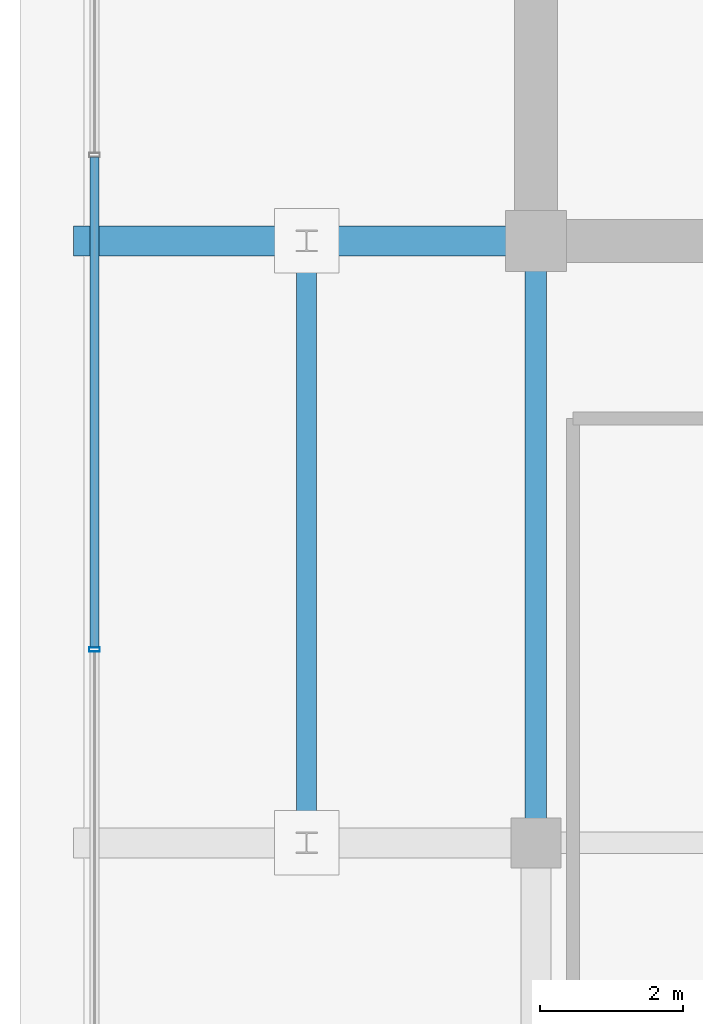
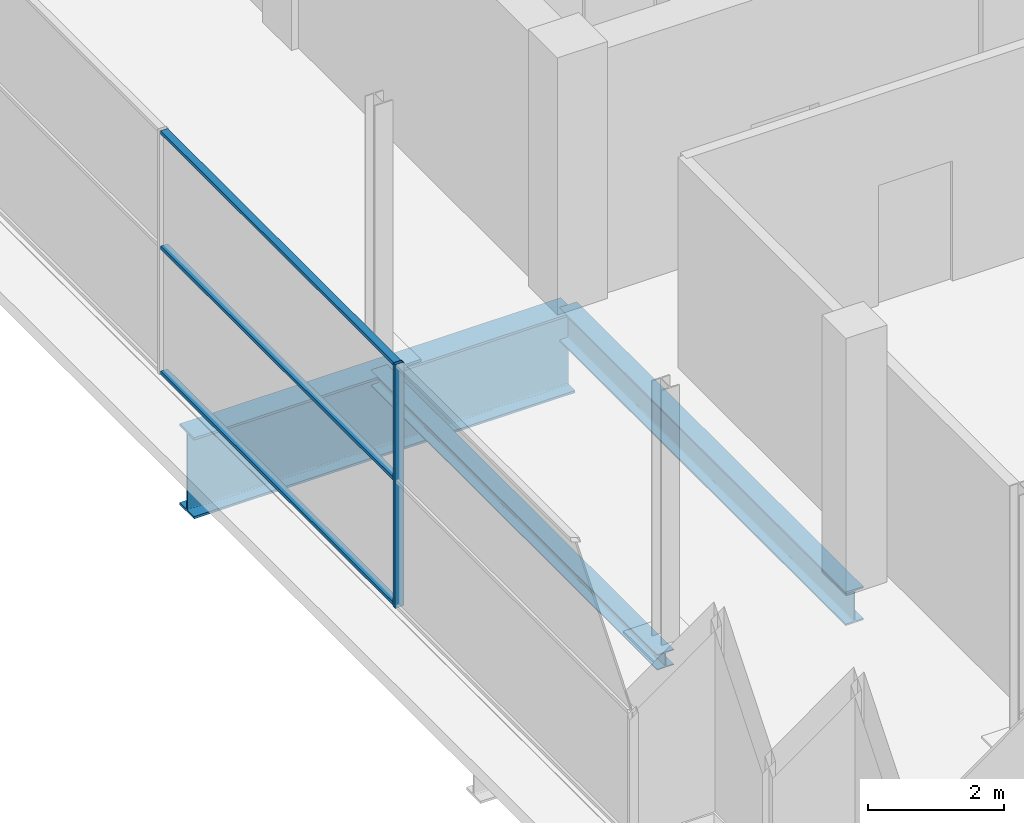
# One storey, part 5 of 28: 4 members, 3 beams, 1 element without a shape of its own.
"""IFC4 building model written with IfcOpenShell, lengths in metres."""

from ifc_helpers import new_model, si_unit, direction, frame, origin, origin_2d, place, context, subcontext, project, spatial, hollow_rectangle, i_section, extrude, source, transform, mapped, material, layer, layer_set, material_profile, profile_set, type_object, element, aggregate, save


model = new_model("IFC4")

# Units and contexts
model_context = context("Model", 3, precision=1e-05, world=origin(), true_north=direction((0.0, 1.0)))
body_context = subcontext(model_context, "Body", "Model", "MODEL_VIEW")
ifc_project = project(units=[si_unit("LENGTHUNIT", "METRE"), si_unit("AREAUNIT", "SQUARE_METRE"), si_unit("VOLUMEUNIT", "CUBIC_METRE"), si_unit("PLANEANGLEUNIT", "RADIAN"), si_unit("MASSUNIT", "GRAM", prefix="KILO")], contexts=[model_context])

# Site, building, storey
site_placement = place(None, origin())
site = spatial("IfcSite", under=ifc_project, at=site_placement, CompositionType="ELEMENT")
building_placement = place(site_placement, origin())
building = spatial("IfcBuilding", under=site, at=building_placement, Name="Zarnakvel Exchange Tower", CompositionType="ELEMENT")
storey_placement = place(building_placement, frame((0.0, 0.0, 271.60009765625)))
storey = spatial("IfcBuildingStorey", under=building, at=storey_placement, Name="Crown L77", CompositionType="ELEMENT", Elevation=271.60009765625)

# Beams
ifc_material_1 = material(Name="Steel S355", Category="steel")
ifc_material_profile_1 = material_profile(ifc_material_1, i_section(OverallWidth=0.300048828125, OverallDepth=0.60009765625, WebThickness=0.015380859375, FlangeThickness=0.030029296875, FilletRadius=0.027099609375, at=origin_2d()))
ifc_profile_set_1 = profile_set([ifc_material_profile_1], Name="Steel S355")
beam_type_1 = type_object("IfcBeamType", Name="G-04", PredefinedType="BEAM", material=ifc_profile_set_1)
beam_1_placement = place(storey_placement, frame((-14.39990234375, -9.60009765625, -0.52001953125), z_axis=(0.0, 1.0, 0.0), x_axis=(-1.0, 0.0, 0.0)))
element("IfcBeam", 1, at=beam_1_placement, inside=storey, type_object=beam_type_1, Name="Crown L77 Tower N-S Frame Beam", PredefinedType="BEAM", context=body_context, shape_type="SweptSolid", body=[
    extrude(i_section(OverallWidth=0.300048828125, OverallDepth=0.60009765625, WebThickness=0.015380859375, FlangeThickness=0.030029296875, FilletRadius=0.027099609375, at=origin_2d()), origin(), (0.0, 0.0, 1.0), 8.400146484375),
])
ifc_material_profile_2 = material_profile(ifc_material_1, i_section(OverallWidth=0.280029296875, OverallDepth=0.280029296875, WebThickness=0.010498046875, FlangeThickness=0.01806640625, FilletRadius=0.02392578125, at=origin_2d()))
ifc_profile_set_2 = profile_set([ifc_material_profile_2], Name="Steel S355")
beam_type_2 = type_object("IfcBeamType", Name="SP-04", PredefinedType="SPANDREL", material=ifc_profile_set_2)
beam_2_placement = place(storey_placement, frame((-17.60009765625, -9.60009765625, -0.360107421875), z_axis=(0.0, 1.0, 0.0), x_axis=(-1.0, 0.0, 0.0)))
element("IfcBeam", 2, at=beam_2_placement, inside=storey, type_object=beam_type_2, Name="Crown L77 Tower N-S Frame Beam", PredefinedType="SPANDREL", context=body_context, shape_type="SweptSolid", body=[
    extrude(i_section(OverallWidth=0.280029296875, OverallDepth=0.280029296875, WebThickness=0.010498046875, FlangeThickness=0.01806640625, FilletRadius=0.02392578125, at=origin_2d()), origin(), (0.0, 0.0, 1.0), 8.400146484375),
])
ifc_material_2 = material(Name="Steel S460", Category="steel")
ifc_material_profile_3 = material_profile(ifc_material_2, i_section(OverallWidth=0.419921875, OverallDepth=1.449951171875, WebThickness=0.02392578125, FlangeThickness=0.0400390625, FilletRadius=0.030029296875, at=origin_2d()))
ifc_profile_set_3 = profile_set([ifc_material_profile_3], Name="Steel S460")
beam_type_3 = type_object("IfcBeamType", Name="TG-01", PredefinedType="BEAM", material=ifc_profile_set_3)
beam_3_placement = place(storey_placement, frame((-20.85009765625, -1.199951171875, -0.945068359375), z_axis=(1.0, 0.0, 0.0), x_axis=(0.0, 1.0, 0.0)))
element("IfcBeam", 3, at=beam_3_placement, inside=storey, type_object=beam_type_3, Name="Crown L77 Setback E-W Transfer Girder CW-D", PredefinedType="BEAM", context=body_context, shape_type="SweptSolid", body=[
    extrude(i_section(OverallWidth=0.419921875, OverallDepth=1.449951171875, WebThickness=0.02392578125, FlangeThickness=0.0400390625, FilletRadius=0.030029296875, at=origin_2d()), origin(), (0.0, 0.0, 1.0), 6.4501953125),
])

# Curtain wall, members
ifc_material_3 = material(Name="Architectural Bronze Anodised Aluminium", Category="aluminium")
ifc_layer = layer(ifc_material_3, 0.14990234375)
ifc_layer_set = layer_set([ifc_layer], Name="Architectural Bronze Anodised Aluminium")
curtain_wall_type = type_object("IfcCurtainWallType", Name="CW-07", PredefinedType="NOTDEFINED", material=ifc_layer_set)
curtain_wall_placement = place(storey_placement, origin())
curtain_wall = element("IfcCurtainWall", 4, at=curtain_wall_placement, inside=storey, type_object=curtain_wall_type, Name="Crown L77 Curtain Wall CW-Crown L77-W (CW-07)", PredefinedType="NOTDEFINED")
ifc_material_profile_4 = material_profile(ifc_material_3, hollow_rectangle(XDim=0.14990234375, YDim=0.06005859375, WallThickness=0.00390625, at=origin_2d()))
ifc_profile_set_4 = profile_set([ifc_material_profile_4], Name="Architectural Bronze Anodised Aluminium")
member_type_1 = type_object("IfcMemberType", Name="CWM-07", PredefinedType="MULLION", material=ifc_profile_set_4)
shared_shape_1 = source(origin(), body_context, "Body", "SweptSolid", [
    extrude(hollow_rectangle(XDim=0.14990234375, YDim=0.06005859375, WallThickness=0.00390625, at=origin_2d()), origin(), (0.0, 0.0, 1.0), 4.35986328125),
])
member_1_placement = place(storey_placement, frame((-20.56005859375, -6.89990234375, 0.0), z_axis=(0.0, 0.0, 1.0), x_axis=(-1.0, 0.0, 0.0)))
member_1 = element("IfcMember", 5, at=member_1_placement, type_object=member_type_1, Name="CW-07 mullion 2", PredefinedType="MULLION", context=body_context, shape_type="MappedRepresentation", body=[
    mapped(shared_shape_1, transform((0.0, 0.0, 0.0), x_axis=(1.0, 0.0, 0.0), y_axis=(0.0, 1.0, 0.0), z_axis=(0.0, 0.0, 1.0), scale=1.0)),
])
ifc_material_profile_5 = material_profile(ifc_material_3, hollow_rectangle(XDim=0.1201171875, YDim=0.06005859375, WallThickness=0.00390625, at=origin_2d()))
ifc_profile_set_5 = profile_set([ifc_material_profile_5], Name="Architectural Bronze Anodised Aluminium")
member_type_2 = type_object("IfcMemberType", Name="CWT-07", PredefinedType="USERDEFINED", material=ifc_profile_set_5)
shared_shape_2 = source(origin(), body_context, "Body", "SweptSolid", [
    extrude(hollow_rectangle(XDim=0.1201171875, YDim=0.06005859375, WallThickness=0.00390625, at=origin_2d()), origin(), (0.0, 0.0, 1.0), 6.840087890625),
])
member_2_placement = place(storey_placement, frame((-20.56005859375, -6.8701171875, 0.02978515625), z_axis=(0.0, 1.0, 0.0), x_axis=(-1.0, 0.0, 0.0)))
member_2 = element("IfcMember", 6, at=member_2_placement, type_object=member_type_2, Name="CW-07 transom 2.1", ObjectType="TRANSOM", PredefinedType="USERDEFINED", context=body_context, shape_type="MappedRepresentation", body=[
    mapped(shared_shape_2, transform((0.0, 0.0, 0.0), x_axis=(1.0, 0.0, 0.0), y_axis=(0.0, 1.0, 0.0), z_axis=(0.0, 0.0, 1.0), scale=1.0)),
])
member_3_placement = place(storey_placement, frame((-20.56005859375, -6.8701171875, 2.26708984375), z_axis=(0.0, 1.0, 0.0), x_axis=(-1.0, 0.0, 0.0)))
member_3 = element("IfcMember", 7, at=member_3_placement, type_object=member_type_2, Name="CW-07 transom 2.2", ObjectType="TRANSOM", PredefinedType="USERDEFINED", context=body_context, shape_type="MappedRepresentation", body=[
    mapped(shared_shape_2, transform((0.0, 0.0, 0.0), x_axis=(1.0, 0.0, 0.0), y_axis=(0.0, 1.0, 0.0), z_axis=(0.0, 0.0, 1.0), scale=1.0)),
])
member_4_placement = place(storey_placement, frame((-20.56005859375, -6.8701171875, 4.329833984375), z_axis=(0.0, 1.0, 0.0), x_axis=(-1.0, 0.0, 0.0)))
member_4 = element("IfcMember", 8, at=member_4_placement, type_object=member_type_2, Name="CW-07 transom 2.3", ObjectType="TRANSOM", PredefinedType="USERDEFINED", context=body_context, shape_type="MappedRepresentation", body=[
    mapped(shared_shape_2, transform((0.0, 0.0, 0.0), x_axis=(1.0, 0.0, 0.0), y_axis=(0.0, 1.0, 0.0), z_axis=(0.0, 0.0, 1.0), scale=1.0)),
])
aggregate(curtain_wall, [member_1, member_2, member_3, member_4])

save(model, "model.ifc")
